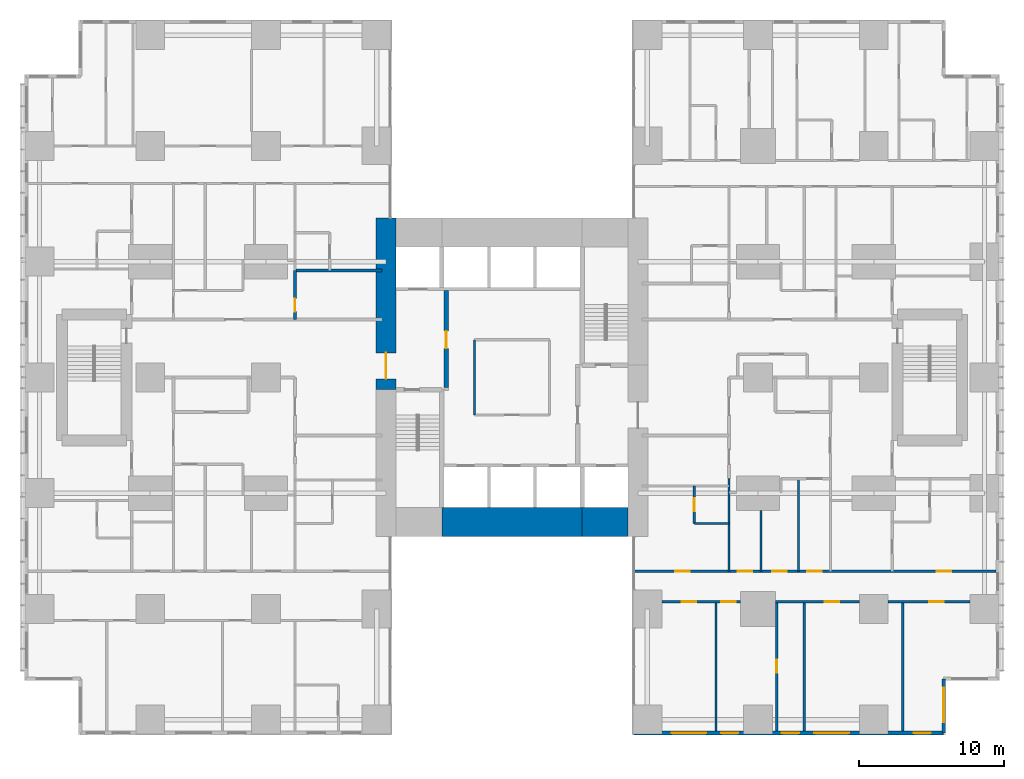
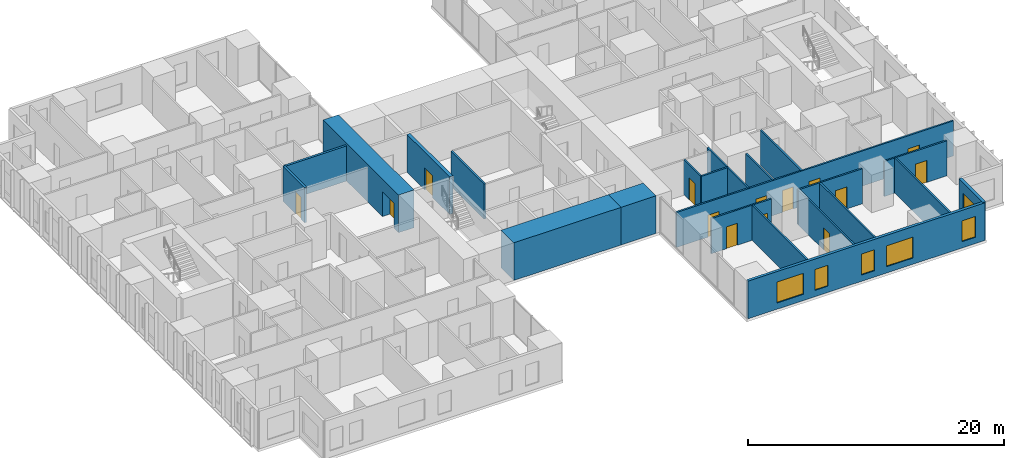
# One storey, part 14 of 20: 22 walls, 14 doors, 6 windows, 20 openings.
"""IFC4 building model written with IfcOpenShell, lengths in metres."""

from ifc_helpers import new_model, si_unit, direction, frame, frame_2d, origin, place, context, subcontext, project, spatial, rectangle, extrude, material, layer, layer_set, type_object, element, fill, save


model = new_model("IFC4")

# Units and contexts
model_context = context("Model", 3, precision=1e-05, world=origin(), true_north=direction((0.0, 1.0)))
body_context = subcontext(model_context, "Body", "Model", "MODEL_VIEW")
ifc_project = project(units=[si_unit("LENGTHUNIT", "METRE"), si_unit("AREAUNIT", "SQUARE_METRE"), si_unit("VOLUMEUNIT", "CUBIC_METRE"), si_unit("PLANEANGLEUNIT", "RADIAN"), si_unit("MASSUNIT", "GRAM", prefix="KILO")], contexts=[model_context])

# Site, building, storey
site_placement = place(None, origin())
site = spatial("IfcSite", under=ifc_project, at=site_placement, CompositionType="ELEMENT")
building_placement = place(site_placement, origin())
building = spatial("IfcBuilding", under=site, at=building_placement, Name="Cleftline Residences", CompositionType="ELEMENT")
storey_placement = place(building_placement, frame((0.0, 0.0, 62.0)))
storey = spatial("IfcBuildingStorey", under=building, at=storey_placement, Name="L15", CompositionType="ELEMENT", Elevation=62.0)

# Wall, opening, door
ifc_material_1 = material(Name="Concrete B70", Category="concrete")
ifc_layer_1 = layer(ifc_material_1, 1.39990234375)
ifc_layer_set_1 = layer_set([ifc_layer_1], Name="CORE WALL 1400")
wall_type_1 = type_object("IfcWallType", Name="CORE WALL 1400", PredefinedType="SHEAR", material=ifc_layer_set_1)
wall_1_placement = place(storey_placement, frame((24.300048828125, 23.14990234375, 0.0), z_axis=(0.0, 0.0, 1.0), x_axis=(0.0, 1.0, 0.0)))
wall_1 = element("IfcWall", 1, at=wall_1_placement, inside=storey, type_object=wall_type_1, Name="Core wall W", PredefinedType="SHEAR", context=body_context, shape_type="SweptSolid", body=[
    extrude(rectangle(XDim=11.85009765625, YDim=1.39990234375, at=frame_2d((5.925048828125, 0.0))), origin(), (0.0, 0.0, 1.0), 3.60009765625),
])
opening_1_placement = place(wall_1_placement, frame((0.75, 0.0, 0.0)))
opening_1 = element("IfcOpeningElement", 2, at=opening_1_placement, cuts=wall_1, Name="Opening D7", PredefinedType="OPENING", context=body_context, shape_type="SweptSolid", body=[
    extrude(rectangle(XDim=1.800048828125, YDim=2.39990234375, at=frame_2d((0.89990234375, 1.199951171875))), frame((0.0, 0.7099609375, 0.0), z_axis=(0.0, -1.0, 0.0), x_axis=(1.0, 0.0, 0.0)), (0.0, 0.0, 1.0), 1.419921875),
])
ifc_material_2 = material(Name="Steel", Category="steel")
door_type_1 = type_object("IfcDoorType", Name="WING DOOR 1800X2400", OperationType="DOUBLE_DOOR_DOUBLE_SWING", PredefinedType="DOOR", material=ifc_material_2)
door_1_placement = place(opening_1_placement, origin())
door_1 = element("IfcDoor", 3, at=door_1_placement, inside=storey, type_object=door_type_1, Name="West wing door", OperationType="DOUBLE_DOOR_DOUBLE_SWING", OverallHeight=2.39990234375, OverallWidth=1.800048828125, PredefinedType="DOOR", context=body_context, shape_type="SweptSolid", body=[
    extrude(rectangle(XDim=1.800048828125, YDim=2.39990234375, at=frame_2d((0.89990234375, 1.199951171875))), frame((0.0, 0.02490234375, 0.0), z_axis=(0.0, -1.0, 0.0), x_axis=(1.0, 0.0, 0.0)), (0.0, 0.0, 1.0), 0.050048828125),
])
fill(opening_1, door_1)

# Walls
ifc_material_3 = material(Name="Concrete B70", Category="concrete")
ifc_layer_2 = layer(ifc_material_3, 2.0)
ifc_layer_set_2 = layer_set([ifc_layer_2], Name="CORE WALL 2000")
wall_type_2 = type_object("IfcWallType", Name="CORE WALL 2000", PredefinedType="SHEAR", material=ifc_layer_set_2)
wall_2_placement = place(storey_placement, frame((28.14990234375, 14.0, 0.0), z_axis=(0.0, 0.0, 1.0), x_axis=(1.0, 0.0, 0.0)))
element("IfcWall", 4, at=wall_2_placement, inside=storey, type_object=wall_type_2, Name="Core wall S2", PredefinedType="SHEAR", context=body_context, shape_type="SweptSolid", body=[
    extrude(rectangle(XDim=9.7001953125, YDim=2.0, at=frame_2d((4.85009765625, 0.0))), origin(), (0.0, 0.0, 1.0), 3.60009765625),
])
wall_3_placement = place(storey_placement, frame((37.85009765625, 14.0, 0.0), z_axis=(0.0, 0.0, 1.0), x_axis=(1.0, 0.0, 0.0)))
element("IfcWall", 5, at=wall_3_placement, inside=storey, type_object=wall_type_2, Name="Core wall S3", PredefinedType="SHEAR", context=body_context, shape_type="SweptSolid", body=[
    extrude(rectangle(XDim=3.14990234375, YDim=2.0, at=frame_2d((1.574951171875, 0.0))), origin(), (0.0, 0.0, 1.0), 3.60009765625),
])

# Wall, openings, windows
ifc_material_4 = material(Name="Rendered reinforced concrete blockwork", Category="masonry")
ifc_layer_3 = layer(ifc_material_4, 0.25)
ifc_layer_set_3 = layer_set([ifc_layer_3], Name="EXTERNAL WALL 250")
wall_type_3 = type_object("IfcWallType", Name="EXTERNAL WALL 250", PredefinedType="SOLIDWALL", material=ifc_layer_set_3)
wall_4_placement = place(storey_placement, frame((41.425048828125, -0.574951171875, 0.0), z_axis=(0.0, 0.0, 1.0), x_axis=(1.0, 0.0, 0.0)))
wall_4 = element("IfcWall", 6, at=wall_4_placement, inside=storey, type_object=wall_type_3, Name="External wall", PredefinedType="SOLIDWALL", context=body_context, shape_type="SweptSolid", body=[
    extrude(rectangle(XDim=21.39990234375, YDim=0.25, at=frame_2d((10.699951171875, 0.0))), origin(), (0.0, 0.0, 1.0), 3.60009765625),
])
opening_2_placement = place(wall_4_placement, frame((2.60009765625, 0.0, 0.60009765625)))
opening_2 = element("IfcOpeningElement", 7, at=opening_2_placement, cuts=wall_4, Name="Opening W6", PredefinedType="OPENING", context=body_context, shape_type="SweptSolid", body=[
    extrude(rectangle(XDim=2.39990234375, YDim=2.0, at=frame_2d((1.199951171875, 1.0))), frame((0.0, 0.135009765625, 0.0), z_axis=(0.0, -1.0, 0.0), x_axis=(1.0, 0.0, 0.0)), (0.0, 0.0, 1.0), 0.27001953125),
])
opening_3_placement = place(wall_4_placement, frame((6.02490234375, 0.0, 0.60009765625)))
opening_3 = element("IfcOpeningElement", 8, at=opening_3_placement, cuts=wall_4, Name="Opening W8", PredefinedType="OPENING", context=body_context, shape_type="SweptSolid", body=[
    extrude(rectangle(XDim=1.199951171875, YDim=2.0, at=frame_2d((0.60009765625, 1.0))), frame((0.0, 0.135009765625, 0.0), z_axis=(0.0, -1.0, 0.0), x_axis=(1.0, 0.0, 0.0)), (0.0, 0.0, 1.0), 0.27001953125),
])
opening_4_placement = place(wall_4_placement, frame((10.22509765625, 0.0, 0.60009765625)))
opening_4 = element("IfcOpeningElement", 9, at=opening_4_placement, cuts=wall_4, Name="Opening W8", PredefinedType="OPENING", context=body_context, shape_type="SweptSolid", body=[
    extrude(rectangle(XDim=1.199951171875, YDim=2.0, at=frame_2d((0.60009765625, 1.0))), frame((0.0, 0.135009765625, 0.0), z_axis=(0.0, -1.0, 0.0), x_axis=(1.0, 0.0, 0.0)), (0.0, 0.0, 1.0), 0.27001953125),
])
opening_5_placement = place(wall_4_placement, frame((12.47509765625, 0.0, 0.60009765625)))
opening_5 = element("IfcOpeningElement", 10, at=opening_5_placement, cuts=wall_4, Name="Opening W6", PredefinedType="OPENING", context=body_context, shape_type="SweptSolid", body=[
    extrude(rectangle(XDim=2.39990234375, YDim=2.0, at=frame_2d((1.199951171875, 1.0))), frame((0.0, 0.135009765625, 0.0), z_axis=(0.0, -1.0, 0.0), x_axis=(1.0, 0.0, 0.0)), (0.0, 0.0, 1.0), 0.27001953125),
])
opening_6_placement = place(wall_4_placement, frame((19.324951171875, 0.0, 0.60009765625)))
opening_6 = element("IfcOpeningElement", 11, at=opening_6_placement, cuts=wall_4, Name="Opening W8", PredefinedType="OPENING", context=body_context, shape_type="SweptSolid", body=[
    extrude(rectangle(XDim=1.199951171875, YDim=2.0, at=frame_2d((0.60009765625, 1.0))), frame((0.0, 0.135009765625, 0.0), z_axis=(0.0, -1.0, 0.0), x_axis=(1.0, 0.0, 0.0)), (0.0, 0.0, 1.0), 0.27001953125),
])
ifc_material_5 = material(Name="Aluminium frame, clear double glazing", Category="aluminium")
window_type_1 = type_object("IfcWindowType", Name="WINDOW 1200X2000", PartitioningType="DOUBLE_PANEL_VERTICAL", PredefinedType="WINDOW", material=ifc_material_5)
window_1_placement = place(opening_3_placement, origin())
window_1 = element("IfcWindow", 12, at=window_1_placement, inside=storey, type_object=window_type_1, Name="Window", OverallHeight=2.0, OverallWidth=1.199951171875, PartitioningType="SINGLE_PANEL", PredefinedType="WINDOW", context=body_context, shape_type="SweptSolid", body=[
    extrude(rectangle(XDim=1.199951171875, YDim=2.0, at=frame_2d((0.60009765625, 1.0))), frame((0.0, 0.030029296875, 0.0), z_axis=(0.0, -1.0, 0.0), x_axis=(1.0, 0.0, 0.0)), (0.0, 0.0, 1.0), 0.06005859375),
])
fill(opening_3, window_1)
window_2_placement = place(opening_4_placement, origin())
window_2 = element("IfcWindow", 13, at=window_2_placement, inside=storey, type_object=window_type_1, Name="Window", OverallHeight=2.0, OverallWidth=1.199951171875, PartitioningType="SINGLE_PANEL", PredefinedType="WINDOW", context=body_context, shape_type="SweptSolid", body=[
    extrude(rectangle(XDim=1.199951171875, YDim=2.0, at=frame_2d((0.60009765625, 1.0))), frame((0.0, 0.030029296875, 0.0), z_axis=(0.0, -1.0, 0.0), x_axis=(1.0, 0.0, 0.0)), (0.0, 0.0, 1.0), 0.06005859375),
])
fill(opening_4, window_2)
window_3_placement = place(opening_6_placement, origin())
window_3 = element("IfcWindow", 14, at=window_3_placement, inside=storey, type_object=window_type_1, Name="Window", OverallHeight=2.0, OverallWidth=1.199951171875, PartitioningType="SINGLE_PANEL", PredefinedType="WINDOW", context=body_context, shape_type="SweptSolid", body=[
    extrude(rectangle(XDim=1.199951171875, YDim=2.0, at=frame_2d((0.60009765625, 1.0))), frame((0.0, 0.030029296875, 0.0), z_axis=(0.0, -1.0, 0.0), x_axis=(1.0, 0.0, 0.0)), (0.0, 0.0, 1.0), 0.06005859375),
])
fill(opening_6, window_3)
ifc_material_6 = material(Name="Aluminium frame, clear double glazing", Category="aluminium")
window_type_2 = type_object("IfcWindowType", Name="WINDOW 2400X2000", PartitioningType="DOUBLE_PANEL_VERTICAL", PredefinedType="WINDOW", material=ifc_material_6)
window_4_placement = place(opening_2_placement, origin())
window_4 = element("IfcWindow", 15, at=window_4_placement, inside=storey, type_object=window_type_2, Name="Window", OverallHeight=2.0, OverallWidth=2.39990234375, PartitioningType="SINGLE_PANEL", PredefinedType="WINDOW", context=body_context, shape_type="SweptSolid", body=[
    extrude(rectangle(XDim=2.39990234375, YDim=2.0, at=frame_2d((1.199951171875, 1.0))), frame((0.0, 0.030029296875, 0.0), z_axis=(0.0, -1.0, 0.0), x_axis=(1.0, 0.0, 0.0)), (0.0, 0.0, 1.0), 0.06005859375),
])
fill(opening_2, window_4)
window_5_placement = place(opening_5_placement, origin())
window_5 = element("IfcWindow", 16, at=window_5_placement, inside=storey, type_object=window_type_2, Name="Window", OverallHeight=2.0, OverallWidth=2.39990234375, PartitioningType="SINGLE_PANEL", PredefinedType="WINDOW", context=body_context, shape_type="SweptSolid", body=[
    extrude(rectangle(XDim=2.39990234375, YDim=2.0, at=frame_2d((1.199951171875, 1.0))), frame((0.0, 0.030029296875, 0.0), z_axis=(0.0, -1.0, 0.0), x_axis=(1.0, 0.0, 0.0)), (0.0, 0.0, 1.0), 0.06005859375),
])
fill(opening_5, window_5)

# Wall, opening, window
wall_5_placement = place(storey_placement, frame((62.824951171875, -0.574951171875, 0.0), z_axis=(0.0, 0.0, 1.0), x_axis=(0.0, 1.0, 0.0)))
wall_5 = element("IfcWall", 17, at=wall_5_placement, inside=storey, type_object=wall_type_3, Name="External wall", PredefinedType="SOLIDWALL", context=body_context, shape_type="SweptSolid", body=[
    extrude(rectangle(XDim=3.75, YDim=0.25, at=frame_2d((1.875, 0.0))), origin(), (0.0, 0.0, 1.0), 3.60009765625),
])
opening_7_placement = place(wall_5_placement, frame((0.737548828125, 0.0, 0.60009765625)))
opening_7 = element("IfcOpeningElement", 18, at=opening_7_placement, cuts=wall_5, Name="Opening W6", PredefinedType="OPENING", context=body_context, shape_type="SweptSolid", body=[
    extrude(rectangle(XDim=2.39990234375, YDim=2.0, at=frame_2d((1.199951171875, 1.0))), frame((0.0, 0.135009765625, 0.0), z_axis=(0.0, -1.0, 0.0), x_axis=(1.0, 0.0, 0.0)), (0.0, 0.0, 1.0), 0.27001953125),
])
window_6_placement = place(opening_7_placement, origin())
window_6 = element("IfcWindow", 19, at=window_6_placement, inside=storey, type_object=window_type_2, Name="Window", OverallHeight=2.0, OverallWidth=2.39990234375, PartitioningType="SINGLE_PANEL", PredefinedType="WINDOW", context=body_context, shape_type="SweptSolid", body=[
    extrude(rectangle(XDim=2.39990234375, YDim=2.0, at=frame_2d((1.199951171875, 1.0))), frame((0.0, 0.030029296875, 0.0), z_axis=(0.0, -1.0, 0.0), x_axis=(1.0, 0.0, 0.0)), (0.0, 0.0, 1.0), 0.06005859375),
])
fill(opening_7, window_6)

# Wall
ifc_material_7 = material(Name="Concrete blockwork, fire rated", Category="masonry")
ifc_layer_4 = layer(ifc_material_7, 0.199951171875)
ifc_layer_set_4 = layer_set([ifc_layer_4], Name="FIRE WALL 200")
wall_type_4 = type_object("IfcWallType", Name="FIRE WALL 200", PredefinedType="PARTITIONING", material=ifc_layer_set_4)
wall_6_placement = place(storey_placement, frame((18.0, 31.39990234375, 0.0), z_axis=(0.0, 0.0, 1.0), x_axis=(1.0, 0.0, 0.0)))
element("IfcWall", 20, at=wall_6_placement, inside=storey, type_object=wall_type_4, Name="Fire separating wall", PredefinedType="PARTITIONING", context=body_context, shape_type="SweptSolid", body=[
    extrude(rectangle(XDim=6.0, YDim=0.199951171875, at=frame_2d((3.0, 0.0))), origin(), (0.0, 0.0, 1.0), 3.35009765625),
])

# Wall, opening, door
wall_7_placement = place(storey_placement, frame((18.0, 28.0, 0.0), z_axis=(0.0, 0.0, 1.0), x_axis=(0.0, 1.0, 0.0)))
wall_7 = element("IfcWall", 21, at=wall_7_placement, inside=storey, type_object=wall_type_4, Name="Fire separating wall", PredefinedType="PARTITIONING", context=body_context, shape_type="SweptSolid", body=[
    extrude(rectangle(XDim=3.39990234375, YDim=0.199951171875, at=frame_2d((1.699951171875, 0.0))), origin(), (0.0, 0.0, 1.0), 3.35009765625),
])
opening_8_placement = place(wall_7_placement, frame((0.550048828125, 0.0, 0.0)))
opening_8 = element("IfcOpeningElement", 22, at=opening_8_placement, cuts=wall_7, Name="Opening D1F30", PredefinedType="OPENING", context=body_context, shape_type="SweptSolid", body=[
    extrude(rectangle(XDim=0.89990234375, YDim=2.10009765625, at=frame_2d((0.449951171875, 1.050048828125))), frame((0.0, 0.10986328125, 0.0), z_axis=(0.0, -1.0, 0.0), x_axis=(1.0, 0.0, 0.0)), (0.0, 0.0, 1.0), 0.219970703125),
])
ifc_material_8 = material(Name="Timber veneer on solid core", Category="wood")
door_type_2 = type_object("IfcDoorType", Name="DOOR 900X2100 EI 30", OperationType="SINGLE_SWING_LEFT", PredefinedType="DOOR", material=ifc_material_8)
door_2_placement = place(opening_8_placement, origin())
door_2 = element("IfcDoor", 23, at=door_2_placement, inside=storey, type_object=door_type_2, Name="Door to drying loggia and wc", OperationType="SINGLE_SWING_RIGHT", OverallHeight=2.10009765625, OverallWidth=0.89990234375, PredefinedType="DOOR", context=body_context, shape_type="SweptSolid", body=[
    extrude(rectangle(XDim=0.89990234375, YDim=2.10009765625, at=frame_2d((0.449951171875, 1.050048828125))), frame((0.0, 0.02490234375, 0.0), z_axis=(0.0, -1.0, 0.0), x_axis=(1.0, 0.0, 0.0)), (0.0, 0.0, 1.0), 0.050048828125),
])
fill(opening_8, door_2)

# Wall, openings, doors
ifc_material_9 = material(Name="Gypsum board on steel studs", Category="steel")
ifc_layer_5 = layer(ifc_material_9, 0.14990234375)
ifc_layer_set_5 = layer_set([ifc_layer_5], Name="PARTITION 150")
wall_type_5 = type_object("IfcWallType", Name="PARTITION 150", PredefinedType="PARTITIONING", material=ifc_layer_set_5)
wall_8_placement = place(storey_placement, frame((43.35009765625, 8.5, 0.0), z_axis=(0.0, 0.0, 1.0), x_axis=(1.0, 0.0, 0.0)))
wall_8 = element("IfcWall", 24, at=wall_8_placement, inside=storey, type_object=wall_type_5, Name="Partition", PredefinedType="PARTITIONING", context=body_context, shape_type="SweptSolid", body=[
    extrude(rectangle(XDim=5.449951171875, YDim=0.14990234375, at=frame_2d((2.72509765625, 0.0))), origin(), (0.0, 0.0, 1.0), 3.35009765625),
])
opening_9_placement = place(wall_8_placement, frame((4.10009765625, 0.0, 0.0)))
opening_9 = element("IfcOpeningElement", 25, at=opening_9_placement, cuts=wall_8, Name="Opening D2", PredefinedType="OPENING", context=body_context, shape_type="SweptSolid", body=[
    extrude(rectangle(XDim=1.0, YDim=2.10009765625, at=frame_2d((0.5, 1.050048828125))), frame((0.0, 0.0849609375, 0.0), z_axis=(0.0, -1.0, 0.0), x_axis=(1.0, 0.0, 0.0)), (0.0, 0.0, 1.0), 0.169921875),
])
opening_10_placement = place(wall_8_placement, frame((1.375, 0.0, 0.0)))
opening_10 = element("IfcOpeningElement", 26, at=opening_10_placement, cuts=wall_8, Name="Opening D2", PredefinedType="OPENING", context=body_context, shape_type="SweptSolid", body=[
    extrude(rectangle(XDim=1.0, YDim=2.10009765625, at=frame_2d((0.5, 1.050048828125))), frame((0.0, 0.0849609375, 0.0), z_axis=(0.0, -1.0, 0.0), x_axis=(1.0, 0.0, 0.0)), (0.0, 0.0, 1.0), 0.169921875),
])
ifc_material_10 = material(Name="Timber veneer on solid core", Category="wood")
door_type_3 = type_object("IfcDoorType", Name="DOOR 1000X2100", OperationType="SINGLE_SWING_LEFT", PredefinedType="DOOR", material=ifc_material_10)
door_3_placement = place(opening_9_placement, origin())
door_3 = element("IfcDoor", 27, at=door_3_placement, inside=storey, type_object=door_type_3, Name="Door to bedroom 2", OperationType="SINGLE_SWING_LEFT", OverallHeight=2.10009765625, OverallWidth=1.0, PredefinedType="DOOR", context=body_context, shape_type="SweptSolid", body=[
    extrude(rectangle(XDim=1.0, YDim=2.10009765625, at=frame_2d((0.5, 1.050048828125))), frame((0.0, 0.02490234375, 0.0), z_axis=(0.0, -1.0, 0.0), x_axis=(1.0, 0.0, 0.0)), (0.0, 0.0, 1.0), 0.050048828125),
])
fill(opening_9, door_3)
door_4_placement = place(opening_10_placement, origin())
door_4 = element("IfcDoor", 28, at=door_4_placement, inside=storey, type_object=door_type_3, Name="Door to bedroom 2 sitting room", OperationType="SINGLE_SWING_RIGHT", OverallHeight=2.10009765625, OverallWidth=1.0, PredefinedType="DOOR", context=body_context, shape_type="SweptSolid", body=[
    extrude(rectangle(XDim=1.0, YDim=2.10009765625, at=frame_2d((0.5, 1.050048828125))), frame((0.0, 0.02490234375, 0.0), z_axis=(0.0, -1.0, 0.0), x_axis=(1.0, 0.0, 0.0)), (0.0, 0.0, 1.0), 0.050048828125),
])
fill(opening_10, door_4)

# Wall, opening, door
wall_9_placement = place(storey_placement, frame((51.199951171875, 8.5, 0.0), z_axis=(0.0, 0.0, 1.0), x_axis=(1.0, 0.0, 0.0)))
wall_9 = element("IfcWall", 29, at=wall_9_placement, inside=storey, type_object=wall_type_5, Name="Partition", PredefinedType="PARTITIONING", context=body_context, shape_type="SweptSolid", body=[
    extrude(rectangle(XDim=5.800048828125, YDim=0.14990234375, at=frame_2d((2.89990234375, 0.0))), origin(), (0.0, 0.0, 1.0), 3.35009765625),
])
opening_11_placement = place(wall_9_placement, frame((3.39990234375, 0.0, 0.0)))
opening_11 = element("IfcOpeningElement", 30, at=opening_11_placement, cuts=wall_9, Name="Opening D2", PredefinedType="OPENING", context=body_context, shape_type="SweptSolid", body=[
    extrude(rectangle(XDim=1.0, YDim=2.10009765625, at=frame_2d((0.5, 1.050048828125))), frame((0.0, 0.0849609375, 0.0), z_axis=(0.0, -1.0, 0.0), x_axis=(1.0, 0.0, 0.0)), (0.0, 0.0, 1.0), 0.169921875),
])
door_5_placement = place(opening_11_placement, origin())
door_5 = element("IfcDoor", 31, at=door_5_placement, inside=storey, type_object=door_type_3, Name="Door to living room", OperationType="SINGLE_SWING_LEFT", OverallHeight=2.10009765625, OverallWidth=1.0, PredefinedType="DOOR", context=body_context, shape_type="SweptSolid", body=[
    extrude(rectangle(XDim=1.0, YDim=2.10009765625, at=frame_2d((0.5, 1.050048828125))), frame((0.0, 0.02490234375, 0.0), z_axis=(0.0, -1.0, 0.0), x_axis=(1.0, 0.0, 0.0)), (0.0, 0.0, 1.0), 0.050048828125),
])
fill(opening_11, door_5)

wall_10_placement = place(storey_placement, frame((59.0, 8.5, 0.0), z_axis=(0.0, 0.0, 1.0), x_axis=(1.0, 0.0, 0.0)))
wall_10 = element("IfcWall", 32, at=wall_10_placement, inside=storey, type_object=wall_type_5, Name="Partition", PredefinedType="PARTITIONING", context=body_context, shape_type="SweptSolid", body=[
    extrude(rectangle(XDim=5.64990234375, YDim=0.14990234375, at=frame_2d((2.824951171875, 0.0))), origin(), (0.0, 0.0, 1.0), 3.35009765625),
])
opening_12_placement = place(wall_10_placement, frame((2.824951171875, 0.0, 0.0)))
opening_12 = element("IfcOpeningElement", 33, at=opening_12_placement, cuts=wall_10, Name="Opening D2", PredefinedType="OPENING", context=body_context, shape_type="SweptSolid", body=[
    extrude(rectangle(XDim=1.0, YDim=2.10009765625, at=frame_2d((0.5, 1.050048828125))), frame((0.0, 0.0849609375, 0.0), z_axis=(0.0, -1.0, 0.0), x_axis=(1.0, 0.0, 0.0)), (0.0, 0.0, 1.0), 0.169921875),
])
door_6_placement = place(opening_12_placement, origin())
door_6 = element("IfcDoor", 34, at=door_6_placement, inside=storey, type_object=door_type_3, Name="Door to winter garden", OperationType="SINGLE_SWING_LEFT", OverallHeight=2.10009765625, OverallWidth=1.0, PredefinedType="DOOR", context=body_context, shape_type="SweptSolid", body=[
    extrude(rectangle(XDim=1.0, YDim=2.10009765625, at=frame_2d((0.5, 1.050048828125))), frame((0.0, 0.02490234375, 0.0), z_axis=(0.0, -1.0, 0.0), x_axis=(1.0, 0.0, 0.0)), (0.0, 0.0, 1.0), 0.050048828125),
])
fill(opening_12, door_6)

# Wall, openings, doors
wall_11_placement = place(storey_placement, frame((41.43896484375, 10.60009765625, 0.0), z_axis=(0.0, 0.0, 1.0), x_axis=(1.0, 0.0, 0.0)))
wall_11 = element("IfcWall", 35, at=wall_11_placement, inside=storey, type_object=wall_type_5, Name="Partition", PredefinedType="PARTITIONING", context=body_context, shape_type="SweptSolid", body=[
    extrude(rectangle(XDim=25.010986328125, YDim=0.14990234375, at=frame_2d((12.50537109375, 0.0))), origin(), (0.0, 0.0, 1.0), 3.35009765625),
])
opening_13_placement = place(wall_11_placement, frame((11.9609375, 0.0, 0.0)))
opening_13 = element("IfcOpeningElement", 36, at=opening_13_placement, cuts=wall_11, Name="Opening D2F30", PredefinedType="OPENING", context=body_context, shape_type="SweptSolid", body=[
    extrude(rectangle(XDim=1.0, YDim=2.10009765625, at=frame_2d((0.5, 1.050048828125))), frame((0.0, 0.0849609375, 0.0), z_axis=(0.0, -1.0, 0.0), x_axis=(1.0, 0.0, 0.0)), (0.0, 0.0, 1.0), 0.169921875),
])
opening_14_placement = place(wall_11_placement, frame((20.923583984375, 0.0, 0.0)))
opening_14 = element("IfcOpeningElement", 37, at=opening_14_placement, cuts=wall_11, Name="Opening D2F30", PredefinedType="OPENING", context=body_context, shape_type="SweptSolid", body=[
    extrude(rectangle(XDim=1.0, YDim=2.10009765625, at=frame_2d((0.5, 1.050048828125))), frame((0.0, 0.0849609375, 0.0), z_axis=(0.0, -1.0, 0.0), x_axis=(1.0, 0.0, 0.0)), (0.0, 0.0, 1.0), 0.169921875),
])
opening_15_placement = place(wall_11_placement, frame((9.56103515625, 0.0, 0.0)))
opening_15 = element("IfcOpeningElement", 38, at=opening_15_placement, cuts=wall_11, Name="Opening D2F30", PredefinedType="OPENING", context=body_context, shape_type="SweptSolid", body=[
    extrude(rectangle(XDim=1.0, YDim=2.10009765625, at=frame_2d((0.5, 1.050048828125))), frame((0.0, 0.0849609375, 0.0), z_axis=(0.0, -1.0, 0.0), x_axis=(1.0, 0.0, 0.0)), (0.0, 0.0, 1.0), 0.169921875),
])
opening_16_placement = place(wall_11_placement, frame((7.160888671875, 0.0, 0.0)))
opening_16 = element("IfcOpeningElement", 39, at=opening_16_placement, cuts=wall_11, Name="Opening D2F30", PredefinedType="OPENING", context=body_context, shape_type="SweptSolid", body=[
    extrude(rectangle(XDim=1.0, YDim=2.10009765625, at=frame_2d((0.5, 1.050048828125))), frame((0.0, 0.0849609375, 0.0), z_axis=(0.0, -1.0, 0.0), x_axis=(1.0, 0.0, 0.0)), (0.0, 0.0, 1.0), 0.169921875),
])
opening_17_placement = place(wall_11_placement, frame((2.8359375, 0.0, 0.0)))
opening_17 = element("IfcOpeningElement", 40, at=opening_17_placement, cuts=wall_11, Name="Opening D2F30", PredefinedType="OPENING", context=body_context, shape_type="SweptSolid", body=[
    extrude(rectangle(XDim=1.0, YDim=2.10009765625, at=frame_2d((0.5, 1.050048828125))), frame((0.0, 0.0849609375, 0.0), z_axis=(0.0, -1.0, 0.0), x_axis=(1.0, 0.0, 0.0)), (0.0, 0.0, 1.0), 0.169921875),
])
ifc_material_11 = material(Name="Timber veneer on solid core", Category="wood")
door_type_4 = type_object("IfcDoorType", Name="DOOR 1000X2100 EI 30", OperationType="SINGLE_SWING_LEFT", PredefinedType="DOOR", material=ifc_material_11)
door_7_placement = place(opening_13_placement, origin())
door_7 = element("IfcDoor", 41, at=door_7_placement, inside=storey, type_object=door_type_4, Name="Door to residence hall (gallery)", OperationType="SINGLE_SWING_RIGHT", OverallHeight=2.10009765625, OverallWidth=1.0, PredefinedType="DOOR", context=body_context, shape_type="SweptSolid", body=[
    extrude(rectangle(XDim=1.0, YDim=2.10009765625, at=frame_2d((0.5, 1.050048828125))), frame((0.0, 0.02490234375, 0.0), z_axis=(0.0, -1.0, 0.0), x_axis=(1.0, 0.0, 0.0)), (0.0, 0.0, 1.0), 0.050048828125),
])
fill(opening_13, door_7)
door_8_placement = place(opening_14_placement, origin())
door_8 = element("IfcDoor", 42, at=door_8_placement, inside=storey, type_object=door_type_4, Name="Door to master bedroom", OperationType="SINGLE_SWING_LEFT", OverallHeight=2.10009765625, OverallWidth=1.0, PredefinedType="DOOR", context=body_context, shape_type="SweptSolid", body=[
    extrude(rectangle(XDim=1.0, YDim=2.10009765625, at=frame_2d((0.5, 1.050048828125))), frame((0.0, 0.02490234375, 0.0), z_axis=(0.0, -1.0, 0.0), x_axis=(1.0, 0.0, 0.0)), (0.0, 0.0, 1.0), 0.050048828125),
])
fill(opening_14, door_8)
door_9_placement = place(opening_15_placement, origin())
door_9 = element("IfcDoor", 43, at=door_9_placement, inside=storey, type_object=door_type_4, Name="Door to dining room", OperationType="SINGLE_SWING_RIGHT", OverallHeight=2.10009765625, OverallWidth=1.0, PredefinedType="DOOR", context=body_context, shape_type="SweptSolid", body=[
    extrude(rectangle(XDim=1.0, YDim=2.10009765625, at=frame_2d((0.5, 1.050048828125))), frame((0.0, 0.02490234375, 0.0), z_axis=(0.0, -1.0, 0.0), x_axis=(1.0, 0.0, 0.0)), (0.0, 0.0, 1.0), 0.050048828125),
])
fill(opening_15, door_9)
door_10_placement = place(opening_16_placement, origin())
door_10 = element("IfcDoor", 44, at=door_10_placement, inside=storey, type_object=door_type_4, Name="Door to show kitchen", OperationType="SINGLE_SWING_RIGHT", OverallHeight=2.10009765625, OverallWidth=1.0, PredefinedType="DOOR", context=body_context, shape_type="SweptSolid", body=[
    extrude(rectangle(XDim=1.0, YDim=2.10009765625, at=frame_2d((0.5, 1.050048828125))), frame((0.0, 0.02490234375, 0.0), z_axis=(0.0, -1.0, 0.0), x_axis=(1.0, 0.0, 0.0)), (0.0, 0.0, 1.0), 0.050048828125),
])
fill(opening_16, door_10)
door_11_placement = place(opening_17_placement, origin())
door_11 = element("IfcDoor", 45, at=door_11_placement, inside=storey, type_object=door_type_4, Name="Door to bedroom 3", OperationType="SINGLE_SWING_RIGHT", OverallHeight=2.10009765625, OverallWidth=1.0, PredefinedType="DOOR", context=body_context, shape_type="SweptSolid", body=[
    extrude(rectangle(XDim=1.0, YDim=2.10009765625, at=frame_2d((0.5, 1.050048828125))), frame((0.0, 0.02490234375, 0.0), z_axis=(0.0, -1.0, 0.0), x_axis=(1.0, 0.0, 0.0)), (0.0, 0.0, 1.0), 0.050048828125),
])
fill(opening_17, door_11)

# Wall
wall_12_placement = place(storey_placement, frame((45.60009765625, 13.89990234375, 0.0), z_axis=(0.0, 0.0, 1.0), x_axis=(1.0, 0.0, 0.0)))
element("IfcWall", 46, at=wall_12_placement, inside=storey, type_object=wall_type_5, Name="Partition", PredefinedType="PARTITIONING", context=body_context, shape_type="SweptSolid", body=[
    extrude(rectangle(XDim=2.39990234375, YDim=0.14990234375, at=frame_2d((1.199951171875, 0.0))), origin(), (0.0, 0.0, 1.0), 3.35009765625),
])

# Wall, opening, door
wall_13_placement = place(storey_placement, frame((45.60009765625, 13.89990234375, 0.0), z_axis=(0.0, 0.0, 1.0), x_axis=(0.0, 1.0, 0.0)))
wall_13 = element("IfcWall", 47, at=wall_13_placement, inside=storey, type_object=wall_type_5, Name="Partition", PredefinedType="PARTITIONING", context=body_context, shape_type="SweptSolid", body=[
    extrude(rectangle(XDim=2.60009765625, YDim=0.14990234375, at=frame_2d((1.300048828125, 0.0))), origin(), (0.0, 0.0, 1.0), 3.35009765625),
])
opening_18_placement = place(wall_13_placement, frame((0.85009765625, 0.0, 0.0)))
opening_18 = element("IfcOpeningElement", 48, at=opening_18_placement, cuts=wall_13, Name="Opening D1", PredefinedType="OPENING", context=body_context, shape_type="SweptSolid", body=[
    extrude(rectangle(XDim=0.89990234375, YDim=2.10009765625, at=frame_2d((0.449951171875, 1.050048828125))), frame((0.0, 0.0849609375, 0.0), z_axis=(0.0, -1.0, 0.0), x_axis=(1.0, 0.0, 0.0)), (0.0, 0.0, 1.0), 0.169921875),
])
ifc_material_12 = material(Name="Timber veneer on solid core", Category="wood")
door_type_5 = type_object("IfcDoorType", Name="DOOR 900X2100", OperationType="SINGLE_SWING_LEFT", PredefinedType="DOOR", material=ifc_material_12)
door_12_placement = place(opening_18_placement, origin())
door_12 = element("IfcDoor", 49, at=door_12_placement, inside=storey, type_object=door_type_5, Name="Door to en-suite bathroom 3", OperationType="SINGLE_SWING_LEFT", OverallHeight=2.10009765625, OverallWidth=0.89990234375, PredefinedType="DOOR", context=body_context, shape_type="SweptSolid", body=[
    extrude(rectangle(XDim=0.89990234375, YDim=2.10009765625, at=frame_2d((0.449951171875, 1.050048828125))), frame((0.0, 0.02490234375, 0.0), z_axis=(0.0, -1.0, 0.0), x_axis=(1.0, 0.0, 0.0)), (0.0, 0.0, 1.0), 0.050048828125),
])
fill(opening_18, door_12)

# Walls
wall_14_placement = place(storey_placement, frame((47.10009765625, -0.449951171875, 0.0), z_axis=(0.0, 0.0, 1.0), x_axis=(0.0, 1.0, 0.0)))
element("IfcWall", 50, at=wall_14_placement, inside=storey, type_object=wall_type_5, Name="Partition", PredefinedType="PARTITIONING", context=body_context, shape_type="SweptSolid", body=[
    extrude(rectangle(XDim=8.949951171875, YDim=0.14990234375, at=frame_2d((4.47509765625, 0.0))), origin(), (0.0, 0.0, 1.0), 3.35009765625),
])
wall_15_placement = place(storey_placement, frame((48.0, 10.60009765625, 0.0), z_axis=(0.0, 0.0, 1.0), x_axis=(0.0, 1.0, 0.0)))
element("IfcWall", 51, at=wall_15_placement, inside=storey, type_object=wall_type_5, Name="Partition", PredefinedType="PARTITIONING", context=body_context, shape_type="SweptSolid", body=[
    extrude(rectangle(XDim=6.39990234375, YDim=0.14990234375, at=frame_2d((3.199951171875, 0.0))), origin(), (0.0, 0.0, 1.0), 3.35009765625),
])
wall_16_placement = place(storey_placement, frame((50.199951171875, 10.60009765625, 0.0), z_axis=(0.0, 0.0, 1.0), x_axis=(0.0, 1.0, 0.0)))
element("IfcWall", 52, at=wall_16_placement, inside=storey, type_object=wall_type_5, Name="Partition", PredefinedType="PARTITIONING", context=body_context, shape_type="SweptSolid", body=[
    extrude(rectangle(XDim=4.199951171875, YDim=0.14990234375, at=frame_2d((2.10009765625, 0.0))), origin(), (0.0, 0.0, 1.0), 3.35009765625),
])

# Wall, opening, door
wall_17_placement = place(storey_placement, frame((51.300048828125, -0.449951171875, 0.0), z_axis=(0.0, 0.0, 1.0), x_axis=(0.0, 1.0, 0.0)))
wall_17 = element("IfcWall", 53, at=wall_17_placement, inside=storey, type_object=wall_type_5, Name="Partition", PredefinedType="PARTITIONING", context=body_context, shape_type="SweptSolid", body=[
    extrude(rectangle(XDim=8.949951171875, YDim=0.14990234375, at=frame_2d((4.47509765625, 0.0))), origin(), (0.0, 0.0, 1.0), 3.35009765625),
])
opening_19_placement = place(wall_17_placement, frame((4.02490234375, 0.0, 0.0)))
opening_19 = element("IfcOpeningElement", 54, at=opening_19_placement, cuts=wall_17, Name="Opening D1", PredefinedType="OPENING", context=body_context, shape_type="SweptSolid", body=[
    extrude(rectangle(XDim=0.89990234375, YDim=2.10009765625, at=frame_2d((0.449951171875, 1.050048828125))), frame((0.0, 0.0849609375, 0.0), z_axis=(0.0, -1.0, 0.0), x_axis=(1.0, 0.0, 0.0)), (0.0, 0.0, 1.0), 0.169921875),
])
door_13_placement = place(opening_19_placement, origin())
door_13 = element("IfcDoor", 55, at=door_13_placement, inside=storey, type_object=door_type_5, Name="Door to en-suite bathroom 2", OperationType="SINGLE_SWING_LEFT", OverallHeight=2.10009765625, OverallWidth=0.89990234375, PredefinedType="DOOR", context=body_context, shape_type="SweptSolid", body=[
    extrude(rectangle(XDim=0.89990234375, YDim=2.10009765625, at=frame_2d((0.449951171875, 1.050048828125))), frame((0.0, 0.02490234375, 0.0), z_axis=(0.0, -1.0, 0.0), x_axis=(1.0, 0.0, 0.0)), (0.0, 0.0, 1.0), 0.050048828125),
])
fill(opening_19, door_13)

# Walls
wall_18_placement = place(storey_placement, frame((52.800048828125, 10.60009765625, 0.0), z_axis=(0.0, 0.0, 1.0), x_axis=(0.0, 1.0, 0.0)))
element("IfcWall", 56, at=wall_18_placement, inside=storey, type_object=wall_type_5, Name="Partition", PredefinedType="PARTITIONING", context=body_context, shape_type="SweptSolid", body=[
    extrude(rectangle(XDim=6.39990234375, YDim=0.14990234375, at=frame_2d((3.199951171875, 0.0))), origin(), (0.0, 0.0, 1.0), 3.35009765625),
])
for number, where, z_axis, x_axis, name in (
    (57, (53.199951171875, -0.449951171875, 0.0), (0.0, 0.0, 1.0), (0.0, 1.0, 0.0), "Partition"),
    (58, (60.0, -0.449951171875, 0.0), (0.0, 0.0, 1.0), (0.0, 1.0, 0.0), "Partition"),
):
    element("IfcWall", number, at=place(storey_placement, frame(where, z_axis=z_axis, x_axis=x_axis)), inside=storey, type_object=wall_type_5, Name=name, PredefinedType="PARTITIONING", context=body_context, shape_type="SweptSolid", body=[
        extrude(rectangle(XDim=8.949951171875, YDim=0.14990234375, at=frame_2d((4.47509765625, 0.0))), origin(), (0.0, 0.0, 1.0), 3.35009765625),
    ])
ifc_material_13 = material(Name="Fire-resisting gypsum board on steel studs", Category="steel")
ifc_layer_6 = layer(ifc_material_13, 0.14990234375)
ifc_layer_set_6 = layer_set([ifc_layer_6], Name="PARTITION 150 EI 60")
wall_type_6 = type_object("IfcWallType", Name="PARTITION 150 EI 60", PredefinedType="PARTITIONING", material=ifc_layer_set_6)
wall_19_placement = place(storey_placement, frame((30.39990234375, 21.39990234375, 0.0), z_axis=(0.0, 0.0, 1.0), x_axis=(0.0, 1.0, 0.0)))
element("IfcWall", 59, at=wall_19_placement, inside=storey, type_object=wall_type_6, Name="Core room partition", PredefinedType="PARTITIONING", context=body_context, shape_type="SweptSolid", body=[
    extrude(rectangle(XDim=5.2001953125, YDim=0.14990234375, at=frame_2d((2.60009765625, 0.0))), origin(), (0.0, 0.0, 1.0), 3.35009765625),
])

# Wall, opening, door
ifc_material_14 = material(Name="Concrete blockwork, fire rated", Category="masonry")
ifc_layer_7 = layer(ifc_material_14, 0.300048828125)
ifc_layer_set_7 = layer_set([ifc_layer_7], Name="STAIR LOBBY WALL 300")
wall_type_7 = type_object("IfcWallType", Name="STAIR LOBBY WALL 300", PredefinedType="PARTITIONING", material=ifc_layer_set_7)
wall_20_placement = place(storey_placement, frame((28.449951171875, 23.300048828125, 0.0), z_axis=(0.0, 0.0, 1.0), x_axis=(0.0, 1.0, 0.0)))
wall_20 = element("IfcWall", 60, at=wall_20_placement, inside=storey, type_object=wall_type_7, Name="Stair and lobby wall FA-E", PredefinedType="PARTITIONING", context=body_context, shape_type="SweptSolid", body=[
    extrude(rectangle(XDim=6.699951171875, YDim=0.300048828125, at=frame_2d((3.35009765625, 0.0))), origin(), (0.0, 0.0, 1.0), 3.60009765625),
])
opening_20_placement = place(wall_20_placement, frame((2.699951171875, 0.0, 0.0)))
opening_20 = element("IfcOpeningElement", 61, at=opening_20_placement, cuts=wall_20, Name="Opening D6", PredefinedType="OPENING", context=body_context, shape_type="SweptSolid", body=[
    extrude(rectangle(XDim=1.199951171875, YDim=2.10009765625, at=frame_2d((0.60009765625, 1.050048828125))), frame((0.0, 0.159912109375, 0.0), z_axis=(0.0, -1.0, 0.0), x_axis=(1.0, 0.0, 0.0)), (0.0, 0.0, 1.0), 0.320068359375),
])
ifc_material_15 = material(Name="Steel", Category="steel")
door_type_6 = type_object("IfcDoorType", Name="LOBBY DOOR 1200X2100", OperationType="SINGLE_SWING_RIGHT", PredefinedType="DOOR", material=ifc_material_15)
door_14_placement = place(opening_20_placement, origin())
door_14 = element("IfcDoor", 62, at=door_14_placement, inside=storey, type_object=door_type_6, Name="Firefighting lobby A door", OperationType="SINGLE_SWING_RIGHT", OverallHeight=2.10009765625, OverallWidth=1.199951171875, PredefinedType="DOOR", context=body_context, shape_type="SweptSolid", body=[
    extrude(rectangle(XDim=1.199951171875, YDim=2.10009765625, at=frame_2d((0.60009765625, 1.050048828125))), frame((0.0, 0.02490234375, 0.0), z_axis=(0.0, -1.0, 0.0), x_axis=(1.0, 0.0, 0.0)), (0.0, 0.0, 1.0), 0.050048828125),
])
fill(opening_20, door_14)

save(model, "model.ifc")
